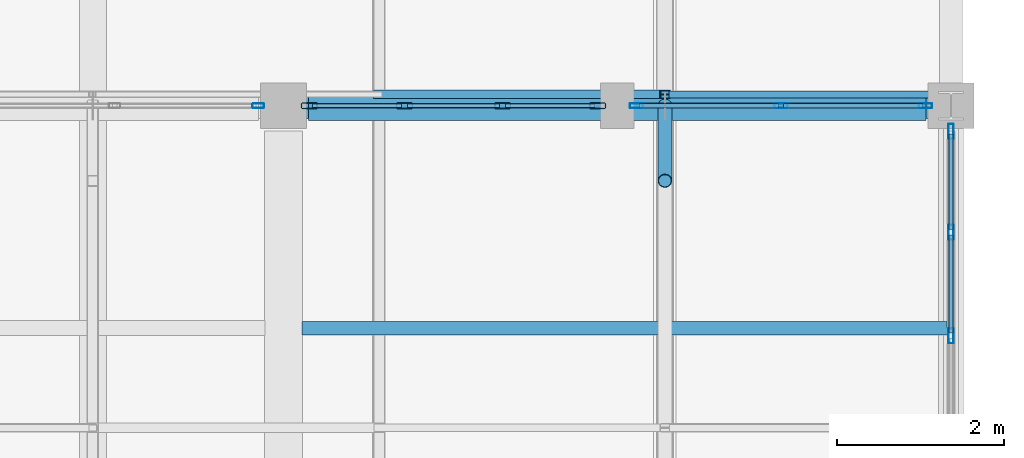
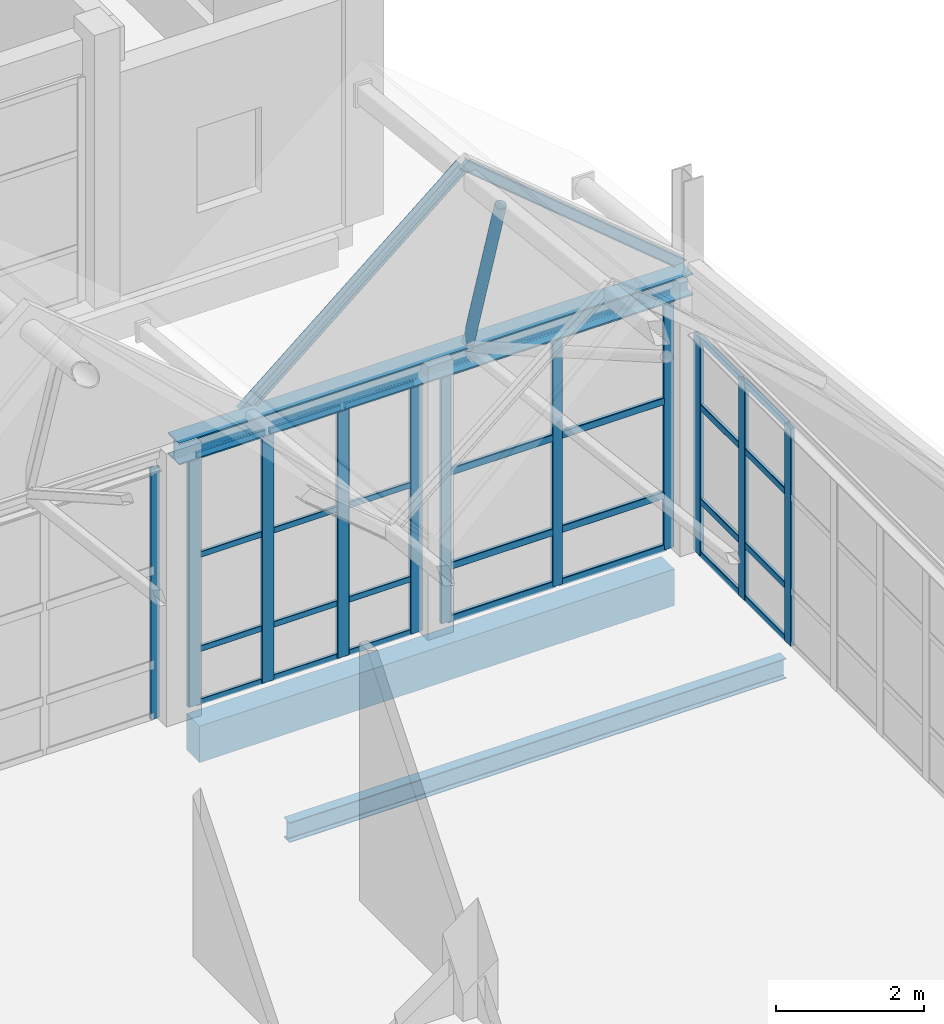
# One storey, part 91 of 183: 42 members, 3 beams, 4 elements without a shape of their own.
"""IFC4 building model written with IfcOpenShell, lengths in metres."""

from ifc_helpers import new_model, si_unit, direction, frame, origin, origin_2d, place, context, subcontext, project, spatial, rectangle, hollow_rectangle, hollow_circle, i_section, extrude, material, material_profile, profile_set, type_object, element, aggregate, save


model = new_model("IFC4")

# Units and contexts
model_context = context("Model", 3, precision=1e-05, world=origin(), true_north=direction((0.0, 1.0)))
body_context = subcontext(model_context, "Body", "Model", "MODEL_VIEW")
ifc_project = project(units=[si_unit("LENGTHUNIT", "METRE"), si_unit("AREAUNIT", "SQUARE_METRE"), si_unit("VOLUMEUNIT", "CUBIC_METRE"), si_unit("PLANEANGLEUNIT", "RADIAN"), si_unit("MASSUNIT", "GRAM", prefix="KILO")], contexts=[model_context])

# Site, building, storey
site_placement = place(None, origin())
site = spatial("IfcSite", under=ifc_project, at=site_placement, CompositionType="ELEMENT")
building_placement = place(site_placement, origin())
building = spatial("IfcBuilding", under=site, at=building_placement, Name="Luwemba Playhouse", CompositionType="ELEMENT")
storey_placement = place(building_placement, frame((0.0, 0.0, 4.800048828125)))
storey = spatial("IfcBuildingStorey", under=building, at=storey_placement, Name="L01", CompositionType="ELEMENT", Elevation=4.800048828125)

# Beams
ifc_material_1 = material(Name="Steel S355", Category="steel")
ifc_material_profile_1 = material_profile(ifc_material_1, i_section(OverallWidth=0.300048828125, OverallDepth=0.360107421875, WebThickness=0.012451171875, FlangeThickness=0.0224609375, FilletRadius=0.027099609375, at=origin_2d()))
ifc_profile_set_1 = profile_set([ifc_material_profile_1], Name="Steel S355")
beam_type_1 = type_object("IfcBeamType", Name="BM-SB09", PredefinedType="BEAM", material=ifc_profile_set_1)
beam_1_placement = place(storey_placement, frame((164.0, 27.0, 4.320068359375), z_axis=(1.0, 0.0, 0.0), x_axis=(0.0, 1.0, 0.0)))
element("IfcBeam", 1, at=beam_1_placement, inside=storey, type_object=beam_type_1, Name="RF-V5E eave ring beam 0302", PredefinedType="BEAM", context=body_context, shape_type="SweptSolid", body=[
    extrude(i_section(OverallWidth=0.300048828125, OverallDepth=0.360107421875, WebThickness=0.012451171875, FlangeThickness=0.0224609375, FilletRadius=0.027099609375, at=origin_2d()), origin(), (0.0, 0.0, 1.0), 8.0),
])
ifc_material_profile_2 = material_profile(ifc_material_1, i_section(OverallWidth=0.159912109375, OverallDepth=0.330078125, WebThickness=0.007568359375, FlangeThickness=0.011474609375, FilletRadius=0.01806640625, at=origin_2d()))
ifc_profile_set_2 = profile_set([ifc_material_profile_2], Name="Steel S355")
beam_type_2 = type_object("IfcBeamType", Name="BM-SJ06", PredefinedType="JOIST", material=ifc_profile_set_2)
beam_2_placement = place(storey_placement, frame((164.220947265625, 24.333251953125, -0.4150390625), z_axis=(1.0, 0.0, 0.0), x_axis=(0.0, 1.0, 0.0)))
element("IfcBeam", 2, at=beam_2_placement, inside=storey, type_object=beam_type_2, Name="L01 composite floor joist 0337", PredefinedType="JOIST", context=body_context, shape_type="SweptSolid", body=[
    extrude(i_section(OverallWidth=0.159912109375, OverallDepth=0.330078125, WebThickness=0.007568359375, FlangeThickness=0.011474609375, FilletRadius=0.01806640625, at=origin_2d()), origin(), (0.0, 0.0, 1.0), 7.733154296875),
])
ifc_material_2 = material(Name="Concrete C40/50", Category="concrete")
ifc_material_profile_3 = material_profile(ifc_material_2, rectangle(XDim=0.35009765625, YDim=0.60009765625, at=origin_2d()))
ifc_profile_set_3 = profile_set([ifc_material_profile_3], Name="Concrete C40/50")
beam_type_3 = type_object("IfcBeamType", Name="BM-SP3", PredefinedType="SPANDREL", material=ifc_profile_set_3)
beam_3_placement = place(storey_placement, frame((164.300048828125, 27.0, -0.550048828125), z_axis=(1.0, 0.0, 0.0), x_axis=(0.0, 1.0, 0.0)))
element("IfcBeam", 3, at=beam_3_placement, inside=storey, type_object=beam_type_3, Name="L01 grid girder 0542", PredefinedType="SPANDREL", context=body_context, shape_type="SweptSolid", body=[
    extrude(rectangle(XDim=0.35009765625, YDim=0.60009765625, at=origin_2d()), origin(), (0.0, 0.0, 1.0), 7.39990234375),
])

# Curtain wall, members
ifc_material_3 = material(Name="Solar-control double glazing", Category="glass")
curtain_wall_type_1 = type_object("IfcCurtainWallType", Name="CW-CW128", PredefinedType="USERDEFINED", material=ifc_material_3)
curtain_wall_1_placement = place(storey_placement, origin())
curtain_wall_1 = element("IfcCurtainWall", 4, at=curtain_wall_1_placement, inside=storey, type_object=curtain_wall_type_1, Name="L01 V5E unitised curtain wall 166", ObjectType="UNITISED GLAZING", PredefinedType="USERDEFINED")
ifc_material_4 = material(Name="Aluminium 6063-T6", Category="aluminium")
ifc_material_profile_4 = material_profile(ifc_material_4, hollow_rectangle(XDim=0.06005859375, YDim=0.159912109375, WallThickness=0.00390625, InnerFilletRadius=0.006103515625, OuterFilletRadius=0.010009765625, at=origin_2d()))
ifc_profile_set_4 = profile_set([ifc_material_profile_4], Name="Aluminium 6063-T6")
member_type_1 = type_object("IfcMemberType", Name="CWM-M1", PredefinedType="MULLION", material=ifc_profile_set_4)
member_1_placement = place(storey_placement, frame((168.22998046875, 27.0, 0.0), z_axis=(0.0, 0.0, 1.0), x_axis=(0.0, 1.0, 0.0)))
member_1 = element("IfcMember", 5, at=member_1_placement, type_object=member_type_1, Name="CW128 mullion 1", PredefinedType="MULLION", context=body_context, shape_type="SweptSolid", body=[
    extrude(hollow_rectangle(XDim=0.06005859375, YDim=0.159912109375, WallThickness=0.00390625, InnerFilletRadius=0.006103515625, OuterFilletRadius=0.010009765625, at=origin_2d()), origin(), (0.0, 0.0, 1.0), 4.125),
])
member_2_placement = place(storey_placement, frame((169.96240234375, 27.0, 0.0), z_axis=(0.0, 0.0, 1.0), x_axis=(0.0, 1.0, 0.0)))
member_2 = element("IfcMember", 6, at=member_2_placement, type_object=member_type_1, Name="CW128 mullion 2", PredefinedType="MULLION", context=body_context, shape_type="SweptSolid", body=[
    extrude(hollow_rectangle(XDim=0.06005859375, YDim=0.159912109375, WallThickness=0.00390625, InnerFilletRadius=0.006103515625, OuterFilletRadius=0.010009765625, at=origin_2d()), origin(), (0.0, 0.0, 1.0), 4.125),
])
member_3_placement = place(storey_placement, frame((171.695068359375, 27.0, 0.0), z_axis=(0.0, 0.0, 1.0), x_axis=(0.0, 1.0, 0.0)))
member_3 = element("IfcMember", 7, at=member_3_placement, type_object=member_type_1, Name="CW128 mullion 3", PredefinedType="MULLION", context=body_context, shape_type="SweptSolid", body=[
    extrude(hollow_rectangle(XDim=0.06005859375, YDim=0.159912109375, WallThickness=0.00390625, InnerFilletRadius=0.006103515625, OuterFilletRadius=0.010009765625, at=origin_2d()), origin(), (0.0, 0.0, 1.0), 4.125),
])

curtain_wall_type_2 = type_object("IfcCurtainWallType", Name="CW-CW129", PredefinedType="USERDEFINED", material=ifc_material_3)
curtain_wall_2_placement = place(storey_placement, origin())
curtain_wall_2 = element("IfcCurtainWall", 8, at=curtain_wall_2_placement, inside=storey, type_object=curtain_wall_type_2, Name="L01 V5E unitised curtain wall 167", ObjectType="UNITISED GLAZING", PredefinedType="USERDEFINED")
ifc_material_profile_5 = material_profile(ifc_material_4, hollow_rectangle(XDim=0.06494140625, YDim=0.179931640625, WallThickness=0.00439453125, InnerFilletRadius=0.0068359375, OuterFilletRadius=0.01123046875, at=origin_2d()))
ifc_profile_set_5 = profile_set([ifc_material_profile_5], Name="Aluminium 6063-T6")
member_type_2 = type_object("IfcMemberType", Name="CWM-M2", PredefinedType="MULLION", material=ifc_profile_set_5)
member_4_placement = place(storey_placement, frame((172.0, 26.6923828125, 0.0), z_axis=(0.0, 0.0, 1.0), x_axis=(1.0, 0.0, 0.0)))
member_4 = element("IfcMember", 9, at=member_4_placement, type_object=member_type_2, Name="CW129 mullion 1", PredefinedType="MULLION", context=body_context, shape_type="SweptSolid", body=[
    extrude(hollow_rectangle(XDim=0.06494140625, YDim=0.179931640625, WallThickness=0.00439453125, InnerFilletRadius=0.0068359375, OuterFilletRadius=0.01123046875, at=origin_2d()), origin(), (0.0, 0.0, 1.0), 3.5849609375),
])
member_5_placement = place(storey_placement, frame((172.0, 25.4833984375, 0.0), z_axis=(0.0, 0.0, 1.0), x_axis=(1.0, 0.0, 0.0)))
member_5 = element("IfcMember", 10, at=member_5_placement, type_object=member_type_2, Name="CW129 mullion 2", PredefinedType="MULLION", context=body_context, shape_type="SweptSolid", body=[
    extrude(hollow_rectangle(XDim=0.06494140625, YDim=0.179931640625, WallThickness=0.00439453125, InnerFilletRadius=0.0068359375, OuterFilletRadius=0.01123046875, at=origin_2d()), origin(), (0.0, 0.0, 1.0), 3.5849609375),
])
member_6_placement = place(storey_placement, frame((172.0, 24.24169921875, 0.0), z_axis=(0.0, 0.0, 1.0), x_axis=(1.0, 0.0, 0.0)))
member_6 = element("IfcMember", 11, at=member_6_placement, type_object=member_type_2, Name="CW129 mullion 3", PredefinedType="MULLION", context=body_context, shape_type="SweptSolid", body=[
    extrude(hollow_rectangle(XDim=0.06494140625, YDim=0.179931640625, WallThickness=0.00439453125, InnerFilletRadius=0.0068359375, OuterFilletRadius=0.01123046875, at=origin_2d()), origin(), (0.0, 0.0, 1.0), 3.5849609375),
])

# Curtain wall, member
curtain_wall_type_3 = type_object("IfcCurtainWallType", Name="CW-CW126", PredefinedType="USERDEFINED", material=ifc_material_3)
curtain_wall_3_placement = place(storey_placement, origin())
curtain_wall_3 = element("IfcCurtainWall", 12, at=curtain_wall_3_placement, inside=storey, type_object=curtain_wall_type_3, Name="L01 V5E unitised curtain wall 164", ObjectType="UNITISED GLAZING", PredefinedType="USERDEFINED")
ifc_material_profile_6 = material_profile(ifc_material_4, hollow_rectangle(XDim=0.054931640625, YDim=0.139892578125, WallThickness=0.00390625, InnerFilletRadius=0.006103515625, OuterFilletRadius=0.010009765625, at=origin_2d()))
ifc_profile_set_6 = profile_set([ifc_material_profile_6], Name="Aluminium 6063-T6")
member_type_3 = type_object("IfcMemberType", Name="CWM-M3", PredefinedType="MULLION", material=ifc_profile_set_6)
member_7_placement = place(storey_placement, frame((163.697509765625, 27.0, 0.0), z_axis=(0.0, 0.0, 1.0), x_axis=(0.0, 1.0, 0.0)))
member_7 = element("IfcMember", 13, at=member_7_placement, type_object=member_type_3, Name="CW126 mullion 3", PredefinedType="MULLION", context=body_context, shape_type="SweptSolid", body=[
    extrude(hollow_rectangle(XDim=0.054931640625, YDim=0.139892578125, WallThickness=0.00390625, InnerFilletRadius=0.006103515625, OuterFilletRadius=0.010009765625, at=origin_2d()), origin(), (0.0, 0.0, 1.0), 4.125),
])
aggregate(curtain_wall_3, [member_7])

# Curtain wall, members
curtain_wall_type_4 = type_object("IfcCurtainWallType", Name="CW-CW127", PredefinedType="USERDEFINED", material=ifc_material_3)
curtain_wall_4_placement = place(storey_placement, origin())
curtain_wall_4 = element("IfcCurtainWall", 14, at=curtain_wall_4_placement, inside=storey, type_object=curtain_wall_type_4, Name="L01 V5E unitised curtain wall 165", ObjectType="UNITISED GLAZING", PredefinedType="USERDEFINED")
ifc_material_profile_7 = material_profile(ifc_material_4, hollow_rectangle(XDim=0.070068359375, YDim=0.18994140625, WallThickness=0.0048828125, InnerFilletRadius=0.007568359375, OuterFilletRadius=0.012451171875, at=origin_2d()))
ifc_profile_set_7 = profile_set([ifc_material_profile_7], Name="Aluminium 6063-T6")
member_type_4 = type_object("IfcMemberType", Name="CWM-M4", PredefinedType="MULLION", material=ifc_profile_set_7)
member_8_placement = place(storey_placement, frame((164.31005859375, 27.0, 0.0), z_axis=(0.0, 0.0, 1.0), x_axis=(0.0, 1.0, 0.0)))
member_8 = element("IfcMember", 15, at=member_8_placement, type_object=member_type_4, Name="CW127 mullion 1", PredefinedType="MULLION", context=body_context, shape_type="SweptSolid", body=[
    extrude(hollow_rectangle(XDim=0.070068359375, YDim=0.18994140625, WallThickness=0.0048828125, InnerFilletRadius=0.007568359375, OuterFilletRadius=0.012451171875, at=origin_2d()), origin(), (0.0, 0.0, 1.0), 4.125),
])
member_9_placement = place(storey_placement, frame((165.449951171875, 27.0, 0.0), z_axis=(0.0, 0.0, 1.0), x_axis=(0.0, 1.0, 0.0)))
member_9 = element("IfcMember", 16, at=member_9_placement, type_object=member_type_4, Name="CW127 mullion 2", PredefinedType="MULLION", context=body_context, shape_type="SweptSolid", body=[
    extrude(hollow_rectangle(XDim=0.070068359375, YDim=0.18994140625, WallThickness=0.0048828125, InnerFilletRadius=0.007568359375, OuterFilletRadius=0.012451171875, at=origin_2d()), origin(), (0.0, 0.0, 1.0), 4.125),
])
member_10_placement = place(storey_placement, frame((166.625, 27.0, 0.0), z_axis=(0.0, 0.0, 1.0), x_axis=(0.0, 1.0, 0.0)))
member_10 = element("IfcMember", 17, at=member_10_placement, type_object=member_type_4, Name="CW127 mullion 3", PredefinedType="MULLION", context=body_context, shape_type="SweptSolid", body=[
    extrude(hollow_rectangle(XDim=0.070068359375, YDim=0.18994140625, WallThickness=0.0048828125, InnerFilletRadius=0.007568359375, OuterFilletRadius=0.012451171875, at=origin_2d()), origin(), (0.0, 0.0, 1.0), 4.125),
])
member_11_placement = place(storey_placement, frame((167.764892578125, 27.0, 0.0), z_axis=(0.0, 0.0, 1.0), x_axis=(0.0, 1.0, 0.0)))
member_11 = element("IfcMember", 18, at=member_11_placement, type_object=member_type_4, Name="CW127 mullion 4", PredefinedType="MULLION", context=body_context, shape_type="SweptSolid", body=[
    extrude(hollow_rectangle(XDim=0.070068359375, YDim=0.18994140625, WallThickness=0.0048828125, InnerFilletRadius=0.007568359375, OuterFilletRadius=0.012451171875, at=origin_2d()), origin(), (0.0, 0.0, 1.0), 4.125),
])

# Member
ifc_material_profile_8 = material_profile(ifc_material_4, hollow_rectangle(XDim=0.06005859375, YDim=0.1201171875, WallThickness=0.00390625, InnerFilletRadius=0.006103515625, OuterFilletRadius=0.010009765625, at=origin_2d()))
ifc_profile_set_8 = profile_set([ifc_material_profile_8], Name="Aluminium 6063-T6")
member_type_5 = type_object("IfcMemberType", Name="CWT-T1", PredefinedType="USERDEFINED", material=ifc_profile_set_8)
member_12_placement = place(storey_placement, frame((168.260009765625, 27.0, 0.030029296875), z_axis=(1.0, 0.0, 0.0), x_axis=(0.0, 1.0, 0.0)))
member_12 = element("IfcMember", 19, at=member_12_placement, type_object=member_type_5, Name="CW128 transom 1.1", ObjectType="TRANSOM", PredefinedType="USERDEFINED", context=body_context, shape_type="SweptSolid", body=[
    extrude(hollow_rectangle(XDim=0.06005859375, YDim=0.1201171875, WallThickness=0.00390625, InnerFilletRadius=0.006103515625, OuterFilletRadius=0.010009765625, at=origin_2d()), origin(), (0.0, 0.0, 1.0), 1.672607421875),
])

member_13_placement = place(storey_placement, frame((168.260009765625, 27.0, 0.89990234375), z_axis=(1.0, 0.0, 0.0), x_axis=(0.0, 1.0, 0.0)))
member_13 = element("IfcMember", 20, at=member_13_placement, type_object=member_type_5, Name="CW128 transom 1.2", ObjectType="TRANSOM", PredefinedType="USERDEFINED", context=body_context, shape_type="SweptSolid", body=[
    extrude(hollow_rectangle(XDim=0.06005859375, YDim=0.1201171875, WallThickness=0.00390625, InnerFilletRadius=0.006103515625, OuterFilletRadius=0.010009765625, at=origin_2d()), origin(), (0.0, 0.0, 1.0), 1.672607421875),
])

member_14_placement = place(storey_placement, frame((168.260009765625, 27.0, 2.449951171875), z_axis=(1.0, 0.0, 0.0), x_axis=(0.0, 1.0, 0.0)))
member_14 = element("IfcMember", 21, at=member_14_placement, type_object=member_type_5, Name="CW128 transom 1.3", ObjectType="TRANSOM", PredefinedType="USERDEFINED", context=body_context, shape_type="SweptSolid", body=[
    extrude(hollow_rectangle(XDim=0.06005859375, YDim=0.1201171875, WallThickness=0.00390625, InnerFilletRadius=0.006103515625, OuterFilletRadius=0.010009765625, at=origin_2d()), origin(), (0.0, 0.0, 1.0), 1.672607421875),
])

member_15_placement = place(storey_placement, frame((168.260009765625, 27.0, 4.094970703125), z_axis=(1.0, 0.0, 0.0), x_axis=(0.0, 1.0, 0.0)))
member_15 = element("IfcMember", 22, at=member_15_placement, type_object=member_type_5, Name="CW128 transom 1.4", ObjectType="TRANSOM", PredefinedType="USERDEFINED", context=body_context, shape_type="SweptSolid", body=[
    extrude(hollow_rectangle(XDim=0.06005859375, YDim=0.1201171875, WallThickness=0.00390625, InnerFilletRadius=0.006103515625, OuterFilletRadius=0.010009765625, at=origin_2d()), origin(), (0.0, 0.0, 1.0), 1.672607421875),
])

member_16_placement = place(storey_placement, frame((169.992431640625, 27.0, 0.030029296875), z_axis=(1.0, 0.0, 0.0), x_axis=(0.0, 1.0, 0.0)))
member_16 = element("IfcMember", 23, at=member_16_placement, type_object=member_type_5, Name="CW128 transom 2.1", ObjectType="TRANSOM", PredefinedType="USERDEFINED", context=body_context, shape_type="SweptSolid", body=[
    extrude(hollow_rectangle(XDim=0.06005859375, YDim=0.1201171875, WallThickness=0.00390625, InnerFilletRadius=0.006103515625, OuterFilletRadius=0.010009765625, at=origin_2d()), origin(), (0.0, 0.0, 1.0), 1.672607421875),
])

member_17_placement = place(storey_placement, frame((169.992431640625, 27.0, 0.89990234375), z_axis=(1.0, 0.0, 0.0), x_axis=(0.0, 1.0, 0.0)))
member_17 = element("IfcMember", 24, at=member_17_placement, type_object=member_type_5, Name="CW128 transom 2.2", ObjectType="TRANSOM", PredefinedType="USERDEFINED", context=body_context, shape_type="SweptSolid", body=[
    extrude(hollow_rectangle(XDim=0.06005859375, YDim=0.1201171875, WallThickness=0.00390625, InnerFilletRadius=0.006103515625, OuterFilletRadius=0.010009765625, at=origin_2d()), origin(), (0.0, 0.0, 1.0), 1.672607421875),
])

member_18_placement = place(storey_placement, frame((169.992431640625, 27.0, 2.449951171875), z_axis=(1.0, 0.0, 0.0), x_axis=(0.0, 1.0, 0.0)))
member_18 = element("IfcMember", 25, at=member_18_placement, type_object=member_type_5, Name="CW128 transom 2.3", ObjectType="TRANSOM", PredefinedType="USERDEFINED", context=body_context, shape_type="SweptSolid", body=[
    extrude(hollow_rectangle(XDim=0.06005859375, YDim=0.1201171875, WallThickness=0.00390625, InnerFilletRadius=0.006103515625, OuterFilletRadius=0.010009765625, at=origin_2d()), origin(), (0.0, 0.0, 1.0), 1.672607421875),
])

member_19_placement = place(storey_placement, frame((169.992431640625, 27.0, 4.094970703125), z_axis=(1.0, 0.0, 0.0), x_axis=(0.0, 1.0, 0.0)))
member_19 = element("IfcMember", 26, at=member_19_placement, type_object=member_type_5, Name="CW128 transom 2.4", ObjectType="TRANSOM", PredefinedType="USERDEFINED", context=body_context, shape_type="SweptSolid", body=[
    extrude(hollow_rectangle(XDim=0.06005859375, YDim=0.1201171875, WallThickness=0.00390625, InnerFilletRadius=0.006103515625, OuterFilletRadius=0.010009765625, at=origin_2d()), origin(), (0.0, 0.0, 1.0), 1.672607421875),
])

aggregate(curtain_wall_1, [member_1, member_2, member_3, member_12, member_13, member_14, member_15, member_16, member_17, member_18, member_19])

ifc_material_profile_9 = material_profile(ifc_material_4, hollow_rectangle(XDim=0.054931640625, YDim=0.110107421875, WallThickness=0.00341796875, InnerFilletRadius=0.00537109375, OuterFilletRadius=0.0087890625, at=origin_2d()))
ifc_profile_set_9 = profile_set([ifc_material_profile_9], Name="Aluminium 6063-T6")
member_type_6 = type_object("IfcMemberType", Name="CWT-T2", PredefinedType="USERDEFINED", material=ifc_profile_set_9)
member_20_placement = place(storey_placement, frame((172.0, 26.659912109375, 0.02734375), z_axis=(0.0, -1.0, 0.0), x_axis=(1.0, 0.0, 0.0)))
member_20 = element("IfcMember", 27, at=member_20_placement, type_object=member_type_6, Name="CW129 transom 1.1", ObjectType="TRANSOM", PredefinedType="USERDEFINED", context=body_context, shape_type="SweptSolid", body=[
    extrude(hollow_rectangle(XDim=0.054931640625, YDim=0.110107421875, WallThickness=0.00341796875, InnerFilletRadius=0.00537109375, OuterFilletRadius=0.0087890625, at=origin_2d()), origin(), (0.0, 0.0, 1.0), 1.14404296875),
])

member_21_placement = place(storey_placement, frame((172.0, 26.659912109375, 0.89990234375), z_axis=(0.0, -1.0, 0.0), x_axis=(1.0, 0.0, 0.0)))
member_21 = element("IfcMember", 28, at=member_21_placement, type_object=member_type_6, Name="CW129 transom 1.2", ObjectType="TRANSOM", PredefinedType="USERDEFINED", context=body_context, shape_type="SweptSolid", body=[
    extrude(hollow_rectangle(XDim=0.054931640625, YDim=0.110107421875, WallThickness=0.00341796875, InnerFilletRadius=0.00537109375, OuterFilletRadius=0.0087890625, at=origin_2d()), origin(), (0.0, 0.0, 1.0), 1.14404296875),
])

member_22_placement = place(storey_placement, frame((172.0, 26.659912109375, 2.449951171875), z_axis=(0.0, -1.0, 0.0), x_axis=(1.0, 0.0, 0.0)))
member_22 = element("IfcMember", 29, at=member_22_placement, type_object=member_type_6, Name="CW129 transom 1.3", ObjectType="TRANSOM", PredefinedType="USERDEFINED", context=body_context, shape_type="SweptSolid", body=[
    extrude(hollow_rectangle(XDim=0.054931640625, YDim=0.110107421875, WallThickness=0.00341796875, InnerFilletRadius=0.00537109375, OuterFilletRadius=0.0087890625, at=origin_2d()), origin(), (0.0, 0.0, 1.0), 1.14404296875),
])

member_23_placement = place(storey_placement, frame((172.0, 26.659912109375, 3.557373046875), z_axis=(0.0, -1.0, 0.0), x_axis=(1.0, 0.0, 0.0)))
member_23 = element("IfcMember", 30, at=member_23_placement, type_object=member_type_6, Name="CW129 transom 1.4", ObjectType="TRANSOM", PredefinedType="USERDEFINED", context=body_context, shape_type="SweptSolid", body=[
    extrude(hollow_rectangle(XDim=0.054931640625, YDim=0.110107421875, WallThickness=0.00341796875, InnerFilletRadius=0.00537109375, OuterFilletRadius=0.0087890625, at=origin_2d()), origin(), (0.0, 0.0, 1.0), 1.14404296875),
])

member_24_placement = place(storey_placement, frame((172.0, 25.450927734375, 0.02734375), z_axis=(0.0, -1.0, 0.0), x_axis=(1.0, 0.0, 0.0)))
member_24 = element("IfcMember", 31, at=member_24_placement, type_object=member_type_6, Name="CW129 transom 2.1", ObjectType="TRANSOM", PredefinedType="USERDEFINED", context=body_context, shape_type="SweptSolid", body=[
    extrude(hollow_rectangle(XDim=0.054931640625, YDim=0.110107421875, WallThickness=0.00341796875, InnerFilletRadius=0.00537109375, OuterFilletRadius=0.0087890625, at=origin_2d()), origin(), (0.0, 0.0, 1.0), 1.1767578125),
])

member_25_placement = place(storey_placement, frame((172.0, 25.450927734375, 0.89990234375), z_axis=(0.0, -1.0, 0.0), x_axis=(1.0, 0.0, 0.0)))
member_25 = element("IfcMember", 32, at=member_25_placement, type_object=member_type_6, Name="CW129 transom 2.2", ObjectType="TRANSOM", PredefinedType="USERDEFINED", context=body_context, shape_type="SweptSolid", body=[
    extrude(hollow_rectangle(XDim=0.054931640625, YDim=0.110107421875, WallThickness=0.00341796875, InnerFilletRadius=0.00537109375, OuterFilletRadius=0.0087890625, at=origin_2d()), origin(), (0.0, 0.0, 1.0), 1.1767578125),
])

member_26_placement = place(storey_placement, frame((172.0, 25.450927734375, 2.449951171875), z_axis=(0.0, -1.0, 0.0), x_axis=(1.0, 0.0, 0.0)))
member_26 = element("IfcMember", 33, at=member_26_placement, type_object=member_type_6, Name="CW129 transom 2.3", ObjectType="TRANSOM", PredefinedType="USERDEFINED", context=body_context, shape_type="SweptSolid", body=[
    extrude(hollow_rectangle(XDim=0.054931640625, YDim=0.110107421875, WallThickness=0.00341796875, InnerFilletRadius=0.00537109375, OuterFilletRadius=0.0087890625, at=origin_2d()), origin(), (0.0, 0.0, 1.0), 1.1767578125),
])

member_27_placement = place(storey_placement, frame((172.0, 25.450927734375, 3.557373046875), z_axis=(0.0, -1.0, 0.0), x_axis=(1.0, 0.0, 0.0)))
member_27 = element("IfcMember", 34, at=member_27_placement, type_object=member_type_6, Name="CW129 transom 2.4", ObjectType="TRANSOM", PredefinedType="USERDEFINED", context=body_context, shape_type="SweptSolid", body=[
    extrude(hollow_rectangle(XDim=0.054931640625, YDim=0.110107421875, WallThickness=0.00341796875, InnerFilletRadius=0.00537109375, OuterFilletRadius=0.0087890625, at=origin_2d()), origin(), (0.0, 0.0, 1.0), 1.1767578125),
])

aggregate(curtain_wall_2, [member_4, member_5, member_6, member_20, member_21, member_22, member_23, member_24, member_25, member_26, member_27])

ifc_material_profile_10 = material_profile(ifc_material_4, hollow_rectangle(XDim=0.050048828125, YDim=0.10009765625, WallThickness=0.00341796875, InnerFilletRadius=0.00537109375, OuterFilletRadius=0.0087890625, at=origin_2d()))
ifc_profile_set_10 = profile_set([ifc_material_profile_10], Name="Aluminium 6063-T6")
member_type_7 = type_object("IfcMemberType", Name="CWT-T4", PredefinedType="USERDEFINED", material=ifc_profile_set_10)
member_28_placement = place(storey_placement, frame((164.344970703125, 27.0, 0.02490234375), z_axis=(1.0, 0.0, 0.0), x_axis=(0.0, 1.0, 0.0)))
member_28 = element("IfcMember", 35, at=member_28_placement, type_object=member_type_7, Name="CW127 transom 1.1", ObjectType="TRANSOM", PredefinedType="USERDEFINED", context=body_context, shape_type="SweptSolid", body=[
    extrude(hollow_rectangle(XDim=0.050048828125, YDim=0.10009765625, WallThickness=0.00341796875, InnerFilletRadius=0.00537109375, OuterFilletRadius=0.0087890625, at=origin_2d()), origin(), (0.0, 0.0, 1.0), 1.070068359375),
])

member_29_placement = place(storey_placement, frame((164.344970703125, 27.0, 0.89990234375), z_axis=(1.0, 0.0, 0.0), x_axis=(0.0, 1.0, 0.0)))
member_29 = element("IfcMember", 36, at=member_29_placement, type_object=member_type_7, Name="CW127 transom 1.2", ObjectType="TRANSOM", PredefinedType="USERDEFINED", context=body_context, shape_type="SweptSolid", body=[
    extrude(hollow_rectangle(XDim=0.050048828125, YDim=0.10009765625, WallThickness=0.00341796875, InnerFilletRadius=0.00537109375, OuterFilletRadius=0.0087890625, at=origin_2d()), origin(), (0.0, 0.0, 1.0), 1.070068359375),
])

member_30_placement = place(storey_placement, frame((164.344970703125, 27.0, 2.449951171875), z_axis=(1.0, 0.0, 0.0), x_axis=(0.0, 1.0, 0.0)))
member_30 = element("IfcMember", 37, at=member_30_placement, type_object=member_type_7, Name="CW127 transom 1.3", ObjectType="TRANSOM", PredefinedType="USERDEFINED", context=body_context, shape_type="SweptSolid", body=[
    extrude(hollow_rectangle(XDim=0.050048828125, YDim=0.10009765625, WallThickness=0.00341796875, InnerFilletRadius=0.00537109375, OuterFilletRadius=0.0087890625, at=origin_2d()), origin(), (0.0, 0.0, 1.0), 1.070068359375),
])

member_31_placement = place(storey_placement, frame((164.344970703125, 27.0, 4.099853515625), z_axis=(1.0, 0.0, 0.0), x_axis=(0.0, 1.0, 0.0)))
member_31 = element("IfcMember", 38, at=member_31_placement, type_object=member_type_7, Name="CW127 transom 1.4", ObjectType="TRANSOM", PredefinedType="USERDEFINED", context=body_context, shape_type="SweptSolid", body=[
    extrude(hollow_rectangle(XDim=0.050048828125, YDim=0.10009765625, WallThickness=0.00341796875, InnerFilletRadius=0.00537109375, OuterFilletRadius=0.0087890625, at=origin_2d()), origin(), (0.0, 0.0, 1.0), 1.070068359375),
])

member_32_placement = place(storey_placement, frame((165.485107421875, 27.0, 0.02490234375), z_axis=(1.0, 0.0, 0.0), x_axis=(0.0, 1.0, 0.0)))
member_32 = element("IfcMember", 39, at=member_32_placement, type_object=member_type_7, Name="CW127 transom 2.1", ObjectType="TRANSOM", PredefinedType="USERDEFINED", context=body_context, shape_type="SweptSolid", body=[
    extrude(hollow_rectangle(XDim=0.050048828125, YDim=0.10009765625, WallThickness=0.00341796875, InnerFilletRadius=0.00537109375, OuterFilletRadius=0.0087890625, at=origin_2d()), origin(), (0.0, 0.0, 1.0), 1.10498046875),
])

member_33_placement = place(storey_placement, frame((165.485107421875, 27.0, 0.89990234375), z_axis=(1.0, 0.0, 0.0), x_axis=(0.0, 1.0, 0.0)))
member_33 = element("IfcMember", 40, at=member_33_placement, type_object=member_type_7, Name="CW127 transom 2.2", ObjectType="TRANSOM", PredefinedType="USERDEFINED", context=body_context, shape_type="SweptSolid", body=[
    extrude(hollow_rectangle(XDim=0.050048828125, YDim=0.10009765625, WallThickness=0.00341796875, InnerFilletRadius=0.00537109375, OuterFilletRadius=0.0087890625, at=origin_2d()), origin(), (0.0, 0.0, 1.0), 1.10498046875),
])

member_34_placement = place(storey_placement, frame((165.485107421875, 27.0, 2.449951171875), z_axis=(1.0, 0.0, 0.0), x_axis=(0.0, 1.0, 0.0)))
member_34 = element("IfcMember", 41, at=member_34_placement, type_object=member_type_7, Name="CW127 transom 2.3", ObjectType="TRANSOM", PredefinedType="USERDEFINED", context=body_context, shape_type="SweptSolid", body=[
    extrude(hollow_rectangle(XDim=0.050048828125, YDim=0.10009765625, WallThickness=0.00341796875, InnerFilletRadius=0.00537109375, OuterFilletRadius=0.0087890625, at=origin_2d()), origin(), (0.0, 0.0, 1.0), 1.10498046875),
])

member_35_placement = place(storey_placement, frame((165.485107421875, 27.0, 4.099853515625), z_axis=(1.0, 0.0, 0.0), x_axis=(0.0, 1.0, 0.0)))
member_35 = element("IfcMember", 42, at=member_35_placement, type_object=member_type_7, Name="CW127 transom 2.4", ObjectType="TRANSOM", PredefinedType="USERDEFINED", context=body_context, shape_type="SweptSolid", body=[
    extrude(hollow_rectangle(XDim=0.050048828125, YDim=0.10009765625, WallThickness=0.00341796875, InnerFilletRadius=0.00537109375, OuterFilletRadius=0.0087890625, at=origin_2d()), origin(), (0.0, 0.0, 1.0), 1.10498046875),
])

member_36_placement = place(storey_placement, frame((166.659912109375, 27.0, 0.02490234375), z_axis=(1.0, 0.0, 0.0), x_axis=(0.0, 1.0, 0.0)))
member_36 = element("IfcMember", 43, at=member_36_placement, type_object=member_type_7, Name="CW127 transom 3.1", ObjectType="TRANSOM", PredefinedType="USERDEFINED", context=body_context, shape_type="SweptSolid", body=[
    extrude(hollow_rectangle(XDim=0.050048828125, YDim=0.10009765625, WallThickness=0.00341796875, InnerFilletRadius=0.00537109375, OuterFilletRadius=0.0087890625, at=origin_2d()), origin(), (0.0, 0.0, 1.0), 1.070068359375),
])

member_37_placement = place(storey_placement, frame((166.659912109375, 27.0, 0.89990234375), z_axis=(1.0, 0.0, 0.0), x_axis=(0.0, 1.0, 0.0)))
member_37 = element("IfcMember", 44, at=member_37_placement, type_object=member_type_7, Name="CW127 transom 3.2", ObjectType="TRANSOM", PredefinedType="USERDEFINED", context=body_context, shape_type="SweptSolid", body=[
    extrude(hollow_rectangle(XDim=0.050048828125, YDim=0.10009765625, WallThickness=0.00341796875, InnerFilletRadius=0.00537109375, OuterFilletRadius=0.0087890625, at=origin_2d()), origin(), (0.0, 0.0, 1.0), 1.070068359375),
])

member_38_placement = place(storey_placement, frame((166.659912109375, 27.0, 2.449951171875), z_axis=(1.0, 0.0, 0.0), x_axis=(0.0, 1.0, 0.0)))
member_38 = element("IfcMember", 45, at=member_38_placement, type_object=member_type_7, Name="CW127 transom 3.3", ObjectType="TRANSOM", PredefinedType="USERDEFINED", context=body_context, shape_type="SweptSolid", body=[
    extrude(hollow_rectangle(XDim=0.050048828125, YDim=0.10009765625, WallThickness=0.00341796875, InnerFilletRadius=0.00537109375, OuterFilletRadius=0.0087890625, at=origin_2d()), origin(), (0.0, 0.0, 1.0), 1.070068359375),
])

member_39_placement = place(storey_placement, frame((166.659912109375, 27.0, 4.099853515625), z_axis=(1.0, 0.0, 0.0), x_axis=(0.0, 1.0, 0.0)))
member_39 = element("IfcMember", 46, at=member_39_placement, type_object=member_type_7, Name="CW127 transom 3.4", ObjectType="TRANSOM", PredefinedType="USERDEFINED", context=body_context, shape_type="SweptSolid", body=[
    extrude(hollow_rectangle(XDim=0.050048828125, YDim=0.10009765625, WallThickness=0.00341796875, InnerFilletRadius=0.00537109375, OuterFilletRadius=0.0087890625, at=origin_2d()), origin(), (0.0, 0.0, 1.0), 1.070068359375),
])

aggregate(curtain_wall_4, [member_8, member_9, member_10, member_11, member_28, member_29, member_30, member_31, member_32, member_33, member_34, member_35, member_36, member_37, member_38, member_39])

# Members
ifc_material_profile_11 = material_profile(ifc_material_1, hollow_circle(Radius=0.084228515625, WallThickness=0.008056640625, at=origin_2d()))
ifc_profile_set_11 = profile_set([ifc_material_profile_11], Name="Steel S355")
member_type_8 = type_object("IfcMemberType", Name="MEM-MB02", PredefinedType="BRACE", material=ifc_profile_set_11)
member_40_placement = place(storey_placement, frame((168.5712890625, 27.0, 4.39990234375), z_axis=(0.0, -0.297773567403, 0.954636529029), x_axis=(1.0, 0.0, 0.0)))
element("IfcMember", 47, at=member_40_placement, inside=storey, type_object=member_type_8, Name="ROOF TRUSS eave knee strut 0085", PredefinedType="BRACE", context=body_context, shape_type="SweptSolid", body=[
    extrude(hollow_circle(Radius=0.084228515625, WallThickness=0.008056640625, at=origin_2d()), origin(), (0.0, 0.0, 1.0), 3.022216796875),
])
ifc_material_profile_12 = material_profile(ifc_material_1, i_section(OverallWidth=0.08203125, OverallDepth=0.159912109375, WebThickness=0.0048828125, FlangeThickness=0.00732421875, FilletRadius=0.009033203125, at=origin_2d()))
ifc_profile_set_12 = profile_set([ifc_material_profile_12], Name="Steel S355")
member_type_9 = type_object("IfcMemberType", Name="MEM-MP05", PredefinedType="PURLIN", material=ifc_profile_set_12)
member_41_placement = place(storey_placement, frame((168.5712890625, 27.135986328125, 7.33642578125), z_axis=(0.768364765209, 0.0, -0.640012177685), x_axis=(0.0, 1.0, 0.0)))
element("IfcMember", 48, at=member_41_placement, inside=storey, type_object=member_type_9, Name="Pleated roof purlin 0612", PredefinedType="PURLIN", context=body_context, shape_type="SweptSolid", body=[
    extrude(i_section(OverallWidth=0.08203125, OverallDepth=0.159912109375, WebThickness=0.0048828125, FlangeThickness=0.00732421875, FilletRadius=0.009033203125, at=origin_2d()), origin(), (0.0, 0.0, 1.0), 4.46240234375),
])
ifc_material_profile_13 = material_profile(ifc_material_1, i_section(OverallWidth=0.10009765625, OverallDepth=0.199951171875, WebThickness=0.005615234375, FlangeThickness=0.008544921875, FilletRadius=0.011962890625, at=origin_2d()))
ifc_profile_set_13 = profile_set([ifc_material_profile_13], Name="Steel S355")
member_type_10 = type_object("IfcMemberType", Name="MEM-MP07", PredefinedType="PURLIN", material=ifc_profile_set_13)
member_42_placement = place(storey_placement, frame((165.142822265625, 27.135986328125, 4.452880859375), z_axis=(0.768342353216, 0.0, 0.640039083381), x_axis=(0.0, 1.0, 0.0)))
element("IfcMember", 49, at=member_42_placement, inside=storey, type_object=member_type_10, Name="Pleated roof purlin 0606", PredefinedType="PURLIN", context=body_context, shape_type="SweptSolid", body=[
    extrude(i_section(OverallWidth=0.10009765625, OverallDepth=0.199951171875, WebThickness=0.005615234375, FlangeThickness=0.008544921875, FilletRadius=0.011962890625, at=origin_2d()), origin(), (0.0, 0.0, 1.0), 4.462158203125),
])

save(model, "model.ifc")
